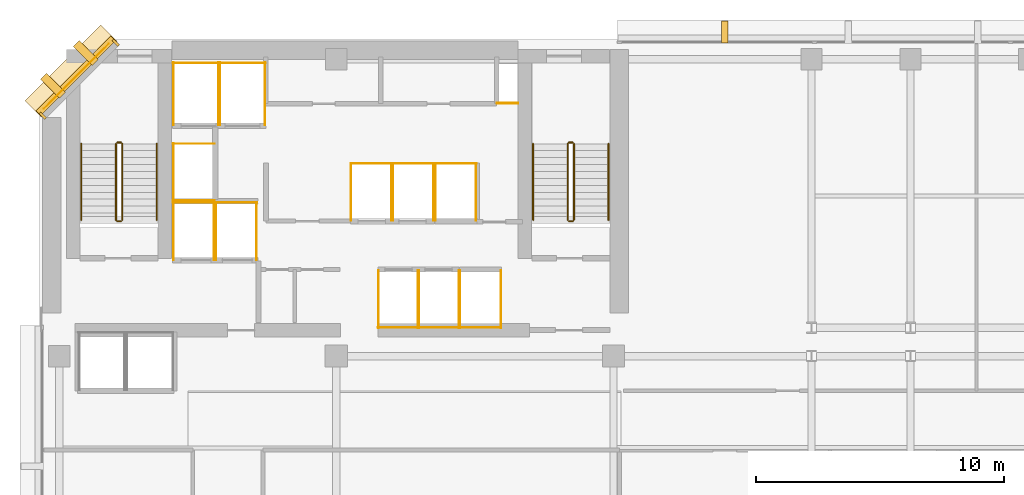
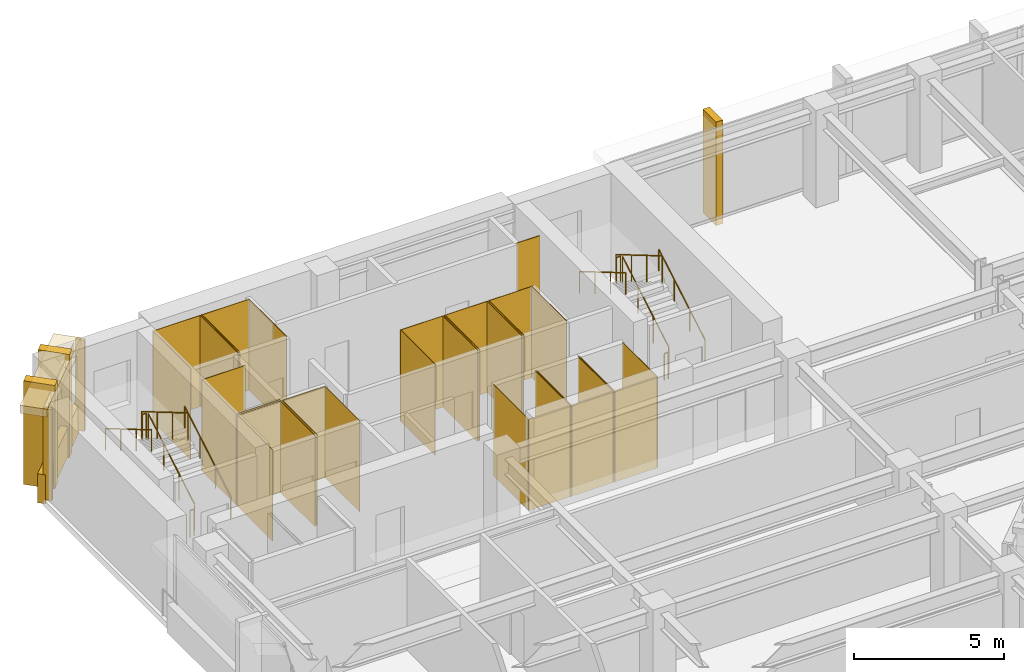
# One storey, part 10 of 11: 42 coverings, 12 railings.
"""IFC4 building model written with IfcOpenShell, lengths in metres."""

from ifc_helpers import new_model, si_unit, direction, frame, origin, origin_2d, place, context, subcontext, project, spatial, polyline, rectangle, circle, outline, extrude, material, layer, layer_set, type_object, element, save


model = new_model("IFC4")

# Units and contexts
model_context = context("Model", 3, precision=1e-05, world=origin(), true_north=direction((0.0, 1.0)))
body_context = subcontext(model_context, "Body", "Model", "MODEL_VIEW")
ifc_project = project(units=[si_unit("LENGTHUNIT", "METRE"), si_unit("AREAUNIT", "SQUARE_METRE"), si_unit("VOLUMEUNIT", "CUBIC_METRE"), si_unit("PLANEANGLEUNIT", "RADIAN"), si_unit("MASSUNIT", "GRAM", prefix="KILO")], contexts=[model_context])

# Site, building, storey
site_placement = place(None, origin())
site = spatial("IfcSite", under=ifc_project, at=site_placement, CompositionType="ELEMENT")
building_placement = place(site_placement, origin())
building = spatial("IfcBuilding", under=site, at=building_placement, Name="Kefirva Bronze Tower", CompositionType="ELEMENT")
storey_placement = place(building_placement, frame((0.0, 0.0, 146.85009765625)))
storey = spatial("IfcBuildingStorey", under=building, at=storey_placement, Name="L35", CompositionType="ELEMENT", Elevation=146.85009765625)

# Coverings
ifc_material_1 = material(Name="Bronze anodised aluminium", Category="aluminium")
ifc_layer_1 = layer(ifc_material_1, 0.02001953125, Name="Bronze anodised aluminium")
ifc_layer_set_1 = layer_set([ifc_layer_1], Name="Bronze anodised aluminium")
covering_type_1 = type_object("IfcCoveringType", Name="Anodised Bronze Spandrel Cladding 20mm", PredefinedType="CLADDING", material=ifc_layer_set_1)
covering_1_placement = place(storey_placement, frame((1.492919921875, 44.507080078125, 3.2900390625), z_axis=(0.0, 0.0, 1.0), x_axis=(-0.707106781187, -0.707106781187, 0.0)))
element("IfcCovering", 1, at=covering_1_placement, inside=storey, type_object=covering_type_1, Name="L35 Bronze Spandrel Cladding 8", PredefinedType="CLADDING", context=body_context, shape_type="SweptSolid", body=[
    extrude(rectangle(XDim=3.719482421875, YDim=0.02001953125, at=origin_2d()), origin(), (0.0, 0.0, 1.0), 0.39990234375),
])
for number, where, z_axis, x_axis, name in (
    (2, (3.08837890625, 45.862060546875, 0.0), (0.0, 0.0, 1.0), (-0.707106781187, -0.707106781187, 0.0), "L35 Facade Joint Closure Panel 8S"),
    (3, (0.137939453125, 42.91162109375, 0.0), (0.0, 0.0, 1.0), (-0.707106781187, -0.707106781187, 0.0), "L35 Facade Joint Closure Panel 8E"),
):
    element("IfcCovering", number, at=place(storey_placement, frame(where, z_axis=z_axis, x_axis=x_axis)), inside=storey, type_object=covering_type_1, Name=name, PredefinedType="CLADDING", context=body_context, shape_type="SweptSolid", body=[
        extrude(rectangle(XDim=0.10009765625, YDim=0.320068359375, at=origin_2d()), origin(), (0.0, 0.0, 1.0), 3.7099609375),
    ])
covering_2_placement = place(storey_placement, frame((1.4716796875, 44.5283203125, -0.16015625), z_axis=(0.0, 0.0, 1.0), x_axis=(-0.707106781187, -0.707106781187, 0.0)))
element("IfcCovering", 4, at=covering_2_placement, inside=storey, type_object=covering_type_1, Name="L35 Streamline Horizontal Spandrel Band 13", PredefinedType="CLADDING", context=body_context, shape_type="SweptSolid", body=[
    extrude(rectangle(XDim=4.28271484375, YDim=0.280029296875, at=origin_2d()), origin(), (0.0, 0.0, 1.0), 1.179931640625),
])
covering_3_placement = place(storey_placement, origin())
element("IfcCovering", 5, at=covering_3_placement, inside=storey, type_object=covering_type_1, Name="L35 Lift FF1 Hoistway Liner N", PredefinedType="CLADDING", context=body_context, shape_type="SweptSolid", body=[
    extrude(outline(polyline([(5.39990234375, 39.389892578125), (7.080078125, 39.389892578125), (7.080078125, 39.409912109375), (5.39990234375, 39.409912109375), (5.39990234375, 39.389892578125)])), origin(), (0.0, 0.0, 1.0), 3.7099609375),
])
covering_4_placement = place(storey_placement, origin())
element("IfcCovering", 6, at=covering_4_placement, inside=storey, type_object=covering_type_1, Name="L35 Lift FF1 Hoistway Liner W", PredefinedType="CLADDING", context=body_context, shape_type="SweptSolid", body=[
    extrude(outline(polyline([(5.409912109375, 37.080078125), (5.429931640625, 37.080078125), (5.429931640625, 39.419921875), (5.409912109375, 39.419921875), (5.409912109375, 37.080078125)])), origin(), (0.0, 0.0, 1.0), 3.7099609375),
])
covering_5_placement = place(storey_placement, origin())
element("IfcCovering", 7, at=covering_5_placement, inside=storey, type_object=covering_type_1, Name="L35 Lift FF1 Hoistway Liner E", PredefinedType="CLADDING", context=body_context, shape_type="SweptSolid", body=[
    extrude(outline(polyline([(7.050048828125, 37.080078125), (7.070068359375, 37.080078125), (7.070068359375, 39.419921875), (7.050048828125, 39.419921875), (7.050048828125, 37.080078125)])), origin(), (0.0, 0.0, 1.0), 3.7099609375),
])
covering_6_placement = place(storey_placement, origin())
element("IfcCovering", 8, at=covering_6_placement, inside=storey, type_object=covering_type_1, Name="L35 Lift FF2 Hoistway Liner N", PredefinedType="CLADDING", context=body_context, shape_type="SweptSolid", body=[
    extrude(outline(polyline([(7.1201171875, 39.389892578125), (8.800048828125, 39.389892578125), (8.800048828125, 39.409912109375), (7.1201171875, 39.409912109375), (7.1201171875, 39.389892578125)])), origin(), (0.0, 0.0, 1.0), 3.7099609375),
])
covering_7_placement = place(storey_placement, origin())
element("IfcCovering", 9, at=covering_7_placement, inside=storey, type_object=covering_type_1, Name="L35 Lift FF2 Hoistway Liner W", PredefinedType="CLADDING", context=body_context, shape_type="SweptSolid", body=[
    extrude(outline(polyline([(7.1298828125, 37.080078125), (7.14990234375, 37.080078125), (7.14990234375, 39.419921875), (7.1298828125, 39.419921875), (7.1298828125, 37.080078125)])), origin(), (0.0, 0.0, 1.0), 3.7099609375),
])
covering_8_placement = place(storey_placement, origin())
element("IfcCovering", 10, at=covering_8_placement, inside=storey, type_object=covering_type_1, Name="L35 Lift FF2 Hoistway Liner E", PredefinedType="CLADDING", context=body_context, shape_type="SweptSolid", body=[
    extrude(outline(polyline([(8.77001953125, 37.080078125), (8.7900390625, 37.080078125), (8.7900390625, 39.419921875), (8.77001953125, 39.419921875), (8.77001953125, 37.080078125)])), origin(), (0.0, 0.0, 1.0), 3.7099609375),
])
covering_9_placement = place(storey_placement, origin())
element("IfcCovering", 11, at=covering_9_placement, inside=storey, type_object=covering_type_1, Name="L35 Lift SV1 Hoistway Liner N", PredefinedType="CLADDING", context=body_context, shape_type="SweptSolid", body=[
    extrude(outline(polyline([(5.39990234375, 45.0400390625), (7.260009765625, 45.0400390625), (7.260009765625, 45.06005859375), (5.39990234375, 45.06005859375), (5.39990234375, 45.0400390625)])), origin(), (0.0, 0.0, 1.0), 3.7099609375),
])
covering_10_placement = place(storey_placement, origin())
element("IfcCovering", 12, at=covering_10_placement, inside=storey, type_object=covering_type_1, Name="L35 Lift SV1 Hoistway Liner W", PredefinedType="CLADDING", context=body_context, shape_type="SweptSolid", body=[
    extrude(outline(polyline([(5.409912109375, 42.530029296875), (5.429931640625, 42.530029296875), (5.429931640625, 45.070068359375), (5.409912109375, 45.070068359375), (5.409912109375, 42.530029296875)])), origin(), (0.0, 0.0, 1.0), 3.7099609375),
])
covering_11_placement = place(storey_placement, origin())
element("IfcCovering", 13, at=covering_11_placement, inside=storey, type_object=covering_type_1, Name="L35 Lift SV1 Hoistway Liner E", PredefinedType="CLADDING", context=body_context, shape_type="SweptSolid", body=[
    extrude(outline(polyline([(7.22998046875, 42.530029296875), (7.25, 42.530029296875), (7.25, 45.070068359375), (7.22998046875, 45.070068359375), (7.22998046875, 42.530029296875)])), origin(), (0.0, 0.0, 1.0), 3.7099609375),
])
covering_12_placement = place(storey_placement, origin())
element("IfcCovering", 14, at=covering_12_placement, inside=storey, type_object=covering_type_1, Name="L35 Lift SV2 Hoistway Liner N", PredefinedType="CLADDING", context=body_context, shape_type="SweptSolid", body=[
    extrude(outline(polyline([(7.280029296875, 45.0400390625), (9.139892578125, 45.0400390625), (9.139892578125, 45.06005859375), (7.280029296875, 45.06005859375), (7.280029296875, 45.0400390625)])), origin(), (0.0, 0.0, 1.0), 3.7099609375),
])
covering_13_placement = place(storey_placement, origin())
element("IfcCovering", 15, at=covering_13_placement, inside=storey, type_object=covering_type_1, Name="L35 Lift SV2 Hoistway Liner W", PredefinedType="CLADDING", context=body_context, shape_type="SweptSolid", body=[
    extrude(outline(polyline([(7.2900390625, 42.530029296875), (7.31005859375, 42.530029296875), (7.31005859375, 45.070068359375), (7.2900390625, 45.070068359375), (7.2900390625, 42.530029296875)])), origin(), (0.0, 0.0, 1.0), 3.7099609375),
])
covering_14_placement = place(storey_placement, origin())
element("IfcCovering", 16, at=covering_14_placement, inside=storey, type_object=covering_type_1, Name="L35 Lift SV2 Hoistway Liner E", PredefinedType="CLADDING", context=body_context, shape_type="SweptSolid", body=[
    extrude(outline(polyline([(9.110107421875, 42.530029296875), (9.1298828125, 42.530029296875), (9.1298828125, 45.070068359375), (9.110107421875, 45.070068359375), (9.110107421875, 42.530029296875)])), origin(), (0.0, 0.0, 1.0), 3.7099609375),
])
covering_15_placement = place(storey_placement, origin())
element("IfcCovering", 17, at=covering_15_placement, inside=storey, type_object=covering_type_1, Name="L35 Lift MP1 Hoistway Liner S", PredefinedType="CLADDING", context=body_context, shape_type="SweptSolid", body=[
    extrude(outline(polyline([(13.679931640625, 34.340087890625), (15.320068359375, 34.340087890625), (15.320068359375, 34.360107421875), (13.679931640625, 34.360107421875), (13.679931640625, 34.340087890625)])), origin(), (0.0, 0.0, 1.0), 3.7099609375),
])
covering_16_placement = place(storey_placement, origin())
element("IfcCovering", 18, at=covering_16_placement, inside=storey, type_object=covering_type_1, Name="L35 Lift MP1 Hoistway Liner W", PredefinedType="CLADDING", context=body_context, shape_type="SweptSolid", body=[
    extrude(outline(polyline([(13.68994140625, 34.330078125), (13.7099609375, 34.330078125), (13.7099609375, 36.669921875), (13.68994140625, 36.669921875), (13.68994140625, 34.330078125)])), origin(), (0.0, 0.0, 1.0), 3.7099609375),
])
covering_17_placement = place(storey_placement, origin())
element("IfcCovering", 19, at=covering_17_placement, inside=storey, type_object=covering_type_1, Name="L35 Lift MP1 Hoistway Liner E", PredefinedType="CLADDING", context=body_context, shape_type="SweptSolid", body=[
    extrude(outline(polyline([(15.2900390625, 34.330078125), (15.31005859375, 34.330078125), (15.31005859375, 36.669921875), (15.2900390625, 36.669921875), (15.2900390625, 34.330078125)])), origin(), (0.0, 0.0, 1.0), 3.7099609375),
])
covering_18_placement = place(storey_placement, origin())
element("IfcCovering", 20, at=covering_18_placement, inside=storey, type_object=covering_type_1, Name="L35 Lift MP2 Hoistway Liner S", PredefinedType="CLADDING", context=body_context, shape_type="SweptSolid", body=[
    extrude(outline(polyline([(15.330078125, 34.340087890625), (16.969970703125, 34.340087890625), (16.969970703125, 34.360107421875), (15.330078125, 34.360107421875), (15.330078125, 34.340087890625)])), origin(), (0.0, 0.0, 1.0), 3.7099609375),
])
covering_19_placement = place(storey_placement, origin())
element("IfcCovering", 21, at=covering_19_placement, inside=storey, type_object=covering_type_1, Name="L35 Lift MP2 Hoistway Liner W", PredefinedType="CLADDING", context=body_context, shape_type="SweptSolid", body=[
    extrude(outline(polyline([(15.340087890625, 34.330078125), (15.360107421875, 34.330078125), (15.360107421875, 36.669921875), (15.340087890625, 36.669921875), (15.340087890625, 34.330078125)])), origin(), (0.0, 0.0, 1.0), 3.7099609375),
])
covering_20_placement = place(storey_placement, origin())
element("IfcCovering", 22, at=covering_20_placement, inside=storey, type_object=covering_type_1, Name="L35 Lift MP2 Hoistway Liner E", PredefinedType="CLADDING", context=body_context, shape_type="SweptSolid", body=[
    extrude(outline(polyline([(16.93994140625, 34.330078125), (16.9599609375, 34.330078125), (16.9599609375, 36.669921875), (16.93994140625, 36.669921875), (16.93994140625, 34.330078125)])), origin(), (0.0, 0.0, 1.0), 3.7099609375),
])
covering_21_placement = place(storey_placement, origin())
element("IfcCovering", 23, at=covering_21_placement, inside=storey, type_object=covering_type_1, Name="L35 Lift MP3 Hoistway Liner N", PredefinedType="CLADDING", context=body_context, shape_type="SweptSolid", body=[
    extrude(outline(polyline([(12.580078125, 40.969970703125), (14.25, 40.969970703125), (14.25, 40.989990234375), (12.580078125, 40.989990234375), (12.580078125, 40.969970703125)])), origin(), (0.0, 0.0, 1.0), 3.7099609375),
])
covering_22_placement = place(storey_placement, origin())
element("IfcCovering", 24, at=covering_22_placement, inside=storey, type_object=covering_type_1, Name="L35 Lift MP3 Hoistway Liner W", PredefinedType="CLADDING", context=body_context, shape_type="SweptSolid", body=[
    extrude(outline(polyline([(12.590087890625, 38.659912109375), (12.610107421875, 38.659912109375), (12.610107421875, 41.0), (12.590087890625, 41.0), (12.590087890625, 38.659912109375)])), origin(), (0.0, 0.0, 1.0), 3.7099609375),
])
covering_23_placement = place(storey_placement, origin())
element("IfcCovering", 25, at=covering_23_placement, inside=storey, type_object=covering_type_1, Name="L35 Lift MP3 Hoistway Liner E", PredefinedType="CLADDING", context=body_context, shape_type="SweptSolid", body=[
    extrude(outline(polyline([(14.219970703125, 38.659912109375), (14.239990234375, 38.659912109375), (14.239990234375, 41.0), (14.219970703125, 41.0), (14.219970703125, 38.659912109375)])), origin(), (0.0, 0.0, 1.0), 3.7099609375),
])
covering_24_placement = place(storey_placement, origin())
element("IfcCovering", 26, at=covering_24_placement, inside=storey, type_object=covering_type_1, Name="L35 Lift MP4 Hoistway Liner N", PredefinedType="CLADDING", context=body_context, shape_type="SweptSolid", body=[
    extrude(outline(polyline([(14.280029296875, 40.969970703125), (15.949951171875, 40.969970703125), (15.949951171875, 40.989990234375), (14.280029296875, 40.989990234375), (14.280029296875, 40.969970703125)])), origin(), (0.0, 0.0, 1.0), 3.7099609375),
])
covering_25_placement = place(storey_placement, origin())
element("IfcCovering", 27, at=covering_25_placement, inside=storey, type_object=covering_type_1, Name="L35 Lift MP4 Hoistway Liner W", PredefinedType="CLADDING", context=body_context, shape_type="SweptSolid", body=[
    extrude(outline(polyline([(14.2900390625, 38.659912109375), (14.31005859375, 38.659912109375), (14.31005859375, 41.0), (14.2900390625, 41.0), (14.2900390625, 38.659912109375)])), origin(), (0.0, 0.0, 1.0), 3.7099609375),
])
covering_26_placement = place(storey_placement, origin())
element("IfcCovering", 28, at=covering_26_placement, inside=storey, type_object=covering_type_1, Name="L35 Lift MP4 Hoistway Liner E", PredefinedType="CLADDING", context=body_context, shape_type="SweptSolid", body=[
    extrude(outline(polyline([(15.919921875, 38.659912109375), (15.93994140625, 38.659912109375), (15.93994140625, 41.0), (15.919921875, 41.0), (15.919921875, 38.659912109375)])), origin(), (0.0, 0.0, 1.0), 3.7099609375),
])
covering_27_placement = place(storey_placement, origin())
element("IfcCovering", 29, at=covering_27_placement, inside=storey, type_object=covering_type_1, Name="L35 Lift HP1 Hoistway Liner S", PredefinedType="CLADDING", context=body_context, shape_type="SweptSolid", body=[
    extrude(outline(polyline([(16.97998046875, 34.340087890625), (18.669921875, 34.340087890625), (18.669921875, 34.360107421875), (16.97998046875, 34.360107421875), (16.97998046875, 34.340087890625)])), origin(), (0.0, 0.0, 1.0), 3.7099609375),
])
covering_28_placement = place(storey_placement, origin())
element("IfcCovering", 30, at=covering_28_placement, inside=storey, type_object=covering_type_1, Name="L35 Lift HP1 Hoistway Liner W", PredefinedType="CLADDING", context=body_context, shape_type="SweptSolid", body=[
    extrude(outline(polyline([(16.989990234375, 34.330078125), (17.010009765625, 34.330078125), (17.010009765625, 36.669921875), (16.989990234375, 36.669921875), (16.989990234375, 34.330078125)])), origin(), (0.0, 0.0, 1.0), 3.7099609375),
])
covering_29_placement = place(storey_placement, origin())
element("IfcCovering", 31, at=covering_29_placement, inside=storey, type_object=covering_type_1, Name="L35 Lift HP1 Hoistway Liner E", PredefinedType="CLADDING", context=body_context, shape_type="SweptSolid", body=[
    extrude(outline(polyline([(18.639892578125, 34.330078125), (18.659912109375, 34.330078125), (18.659912109375, 36.669921875), (18.639892578125, 36.669921875), (18.639892578125, 34.330078125)])), origin(), (0.0, 0.0, 1.0), 3.7099609375),
])
covering_30_placement = place(storey_placement, origin())
element("IfcCovering", 32, at=covering_30_placement, inside=storey, type_object=covering_type_1, Name="L35 Lift HP2 Hoistway Liner N", PredefinedType="CLADDING", context=body_context, shape_type="SweptSolid", body=[
    extrude(outline(polyline([(15.97998046875, 40.969970703125), (17.669921875, 40.969970703125), (17.669921875, 40.989990234375), (15.97998046875, 40.989990234375), (15.97998046875, 40.969970703125)])), origin(), (0.0, 0.0, 1.0), 3.7099609375),
])
covering_31_placement = place(storey_placement, origin())
element("IfcCovering", 33, at=covering_31_placement, inside=storey, type_object=covering_type_1, Name="L35 Lift HP2 Hoistway Liner W", PredefinedType="CLADDING", context=body_context, shape_type="SweptSolid", body=[
    extrude(outline(polyline([(15.989990234375, 38.659912109375), (16.010009765625, 38.659912109375), (16.010009765625, 41.0), (15.989990234375, 41.0), (15.989990234375, 38.659912109375)])), origin(), (0.0, 0.0, 1.0), 3.7099609375),
])
covering_32_placement = place(storey_placement, origin())
element("IfcCovering", 34, at=covering_32_placement, inside=storey, type_object=covering_type_1, Name="L35 Lift HP2 Hoistway Liner E", PredefinedType="CLADDING", context=body_context, shape_type="SweptSolid", body=[
    extrude(outline(polyline([(17.639892578125, 38.659912109375), (17.659912109375, 38.659912109375), (17.659912109375, 41.0), (17.639892578125, 41.0), (17.639892578125, 38.659912109375)])), origin(), (0.0, 0.0, 1.0), 3.7099609375),
])
covering_33_placement = place(storey_placement, origin())
element("IfcCovering", 35, at=covering_33_placement, inside=storey, type_object=covering_type_1, Name="L35 Lift HP3 Hoistway Liner N", PredefinedType="CLADDING", context=body_context, shape_type="SweptSolid", body=[
    extrude(outline(polyline([(5.39990234375, 41.77001953125), (7.080078125, 41.77001953125), (7.080078125, 41.7900390625), (5.39990234375, 41.7900390625), (5.39990234375, 41.77001953125)])), origin(), (0.0, 0.0, 1.0), 3.7099609375),
])
covering_34_placement = place(storey_placement, origin())
element("IfcCovering", 36, at=covering_34_placement, inside=storey, type_object=covering_type_1, Name="L35 Lift HP3 Hoistway Liner S", PredefinedType="CLADDING", context=body_context, shape_type="SweptSolid", body=[
    extrude(outline(polyline([(5.39990234375, 39.469970703125), (7.080078125, 39.469970703125), (7.080078125, 39.489990234375), (5.39990234375, 39.489990234375), (5.39990234375, 39.469970703125)])), origin(), (0.0, 0.0, 1.0), 3.7099609375),
])
covering_35_placement = place(storey_placement, origin())
element("IfcCovering", 37, at=covering_35_placement, inside=storey, type_object=covering_type_1, Name="L35 Lift HP3 Hoistway Liner W", PredefinedType="CLADDING", context=body_context, shape_type="SweptSolid", body=[
    extrude(outline(polyline([(5.409912109375, 39.4599609375), (5.429931640625, 39.4599609375), (5.429931640625, 41.800048828125), (5.409912109375, 41.800048828125), (5.409912109375, 39.4599609375)])), origin(), (0.0, 0.0, 1.0), 3.7099609375),
])
covering_36_placement = place(storey_placement, origin())
element("IfcCovering", 38, at=covering_36_placement, inside=storey, type_object=covering_type_1, Name="L35 Core MEP Riser Shaft Liner South", PredefinedType="CLADDING", context=body_context, shape_type="SweptSolid", body=[
    extrude(outline(polyline([(18.47998046875, 43.39990234375), (19.360107421875, 43.39990234375), (19.360107421875, 43.429931640625), (18.47998046875, 43.429931640625), (18.47998046875, 43.39990234375)])), origin(), (0.0, 0.0, 1.0), 3.7099609375),
])

# Railings
ifc_material_2 = material(Name="Stainless steel 316", Category="steel")
railing_type_1 = type_object("IfcRailingType", Name="Interior Stair Guardrail 1100mm", PredefinedType="GUARDRAIL", material=ifc_material_2)
railing_1_placement = place(storey_placement, frame((3.35009765625, 38.699951171875, 0.164794921875)))
element("IfcRailing", 39, at=railing_1_placement, inside=storey, type_object=railing_type_1, Name="L35 ST-1 stair guard 1", PredefinedType="GUARDRAIL", context=body_context, shape_type="SweptSolid", body=[
    extrude(circle(Radius=0.02392578125, at=origin_2d()), frame((0.0, 0.0, 1.076171875), z_axis=(0.0, 0.861521393093, 0.507721271215), x_axis=(-1.0, 0.0, 0.0)), (0.0, 0.0, 1.0), 3.5751953125),
    extrude(circle(Radius=0.02099609375, at=origin_2d()), origin(), (0.0, 0.0, 1.0), 1.052001953125),
    extrude(circle(Radius=0.02099609375, at=origin_2d()), frame((0.0, 1.026611328125, 0.60498046875)), (0.0, 0.0, 1.0), 1.052001953125),
    extrude(circle(Radius=0.02099609375, at=origin_2d()), frame((0.0, 2.053466796875, 1.210205078125)), (0.0, 0.0, 1.0), 1.052001953125),
    extrude(circle(Radius=0.02099609375, at=origin_2d()), frame((0.0, 3.080078125, 1.815185546875)), (0.0, 0.0, 1.0), 1.052001953125),
])
railing_2_placement = place(storey_placement, frame((3.300048828125, 41.830078125, 1.97998046875)))
element("IfcRailing", 40, at=railing_2_placement, inside=storey, type_object=railing_type_1, Name="L35 ST-1 stair guard 2", PredefinedType="GUARDRAIL", context=body_context, shape_type="SweptSolid", body=[
    extrude(circle(Radius=0.02392578125, at=origin_2d()), frame((0.0, 0.0, 1.076171875), z_axis=(-1.0, 0.0, 0.0), x_axis=(0.0, -1.0, 0.0)), (0.0, 0.0, 1.0), 0.150146484375),
    extrude(circle(Radius=0.02099609375, at=origin_2d()), origin(), (0.0, 0.0, 1.0), 1.052001953125),
    extrude(circle(Radius=0.02099609375, at=origin_2d()), frame((-0.150146484375, 0.0, 0.0)), (0.0, 0.0, 1.0), 1.052001953125),
])
railing_3_placement = place(storey_placement, frame((3.10009765625, 41.780029296875, 2.14501953125)))
element("IfcRailing", 41, at=railing_3_placement, inside=storey, type_object=railing_type_1, Name="L35 ST-1 stair guard 3", PredefinedType="GUARDRAIL", context=body_context, shape_type="SweptSolid", body=[
    extrude(circle(Radius=0.02392578125, at=origin_2d()), frame((0.0, 0.0, 1.076171875), z_axis=(0.0, -0.861551262678, 0.507670583921), x_axis=(1.0, 0.0, 0.0)), (0.0, 0.0, 1.0), 3.574951171875),
    extrude(circle(Radius=0.02099609375, at=origin_2d()), origin(), (0.0, 0.0, 1.0), 1.052001953125),
    extrude(circle(Radius=0.02099609375, at=origin_2d()), frame((0.0, -1.026611328125, 0.60498046875)), (0.0, 0.0, 1.0), 1.052001953125),
    extrude(circle(Radius=0.02099609375, at=origin_2d()), frame((0.0, -2.053466796875, 1.2099609375)), (0.0, 0.0, 1.0), 1.052001953125),
    extrude(circle(Radius=0.02099609375, at=origin_2d()), frame((0.0, -3.080078125, 1.81494140625)), (0.0, 0.0, 1.0), 1.052001953125),
])
railing_4_placement = place(storey_placement, frame((3.300048828125, 38.64990234375, 0.0)))
element("IfcRailing", 42, at=railing_4_placement, inside=storey, type_object=railing_type_1, Name="L35 ST-1 stair guard 4", PredefinedType="GUARDRAIL", context=body_context, shape_type="SweptSolid", body=[
    extrude(circle(Radius=0.02392578125, at=origin_2d()), frame((0.0, 0.0, 1.076171875), z_axis=(-1.0, 0.0, 0.0), x_axis=(0.0, -1.0, 0.0)), (0.0, 0.0, 1.0), 0.150146484375),
    extrude(circle(Radius=0.02099609375, at=origin_2d()), origin(), (0.0, 0.0, 1.0), 1.052001953125),
    extrude(circle(Radius=0.02099609375, at=origin_2d()), frame((-0.150146484375, 0.0, 0.0)), (0.0, 0.0, 1.0), 1.052001953125),
])
railing_5_placement = place(storey_placement, frame((21.60009765625, 38.699951171875, 0.164794921875)))
element("IfcRailing", 43, at=railing_5_placement, inside=storey, type_object=railing_type_1, Name="L35 ST-2 stair guard 1", PredefinedType="GUARDRAIL", context=body_context, shape_type="SweptSolid", body=[
    extrude(circle(Radius=0.02392578125, at=origin_2d()), frame((0.0, 0.0, 1.076171875), z_axis=(0.0, 0.861521393093, 0.507721271215), x_axis=(-1.0, 0.0, 0.0)), (0.0, 0.0, 1.0), 3.5751953125),
    extrude(circle(Radius=0.02099609375, at=origin_2d()), origin(), (0.0, 0.0, 1.0), 1.052001953125),
    extrude(circle(Radius=0.02099609375, at=origin_2d()), frame((0.0, 1.026611328125, 0.60498046875)), (0.0, 0.0, 1.0), 1.052001953125),
    extrude(circle(Radius=0.02099609375, at=origin_2d()), frame((0.0, 2.053466796875, 1.210205078125)), (0.0, 0.0, 1.0), 1.052001953125),
    extrude(circle(Radius=0.02099609375, at=origin_2d()), frame((0.0, 3.080078125, 1.815185546875)), (0.0, 0.0, 1.0), 1.052001953125),
])
railing_6_placement = place(storey_placement, frame((21.550048828125, 41.830078125, 1.97998046875)))
element("IfcRailing", 44, at=railing_6_placement, inside=storey, type_object=railing_type_1, Name="L35 ST-2 stair guard 2", PredefinedType="GUARDRAIL", context=body_context, shape_type="SweptSolid", body=[
    extrude(circle(Radius=0.02392578125, at=origin_2d()), frame((0.0, 0.0, 1.076171875), z_axis=(-1.0, 0.0, 0.0), x_axis=(0.0, -1.0, 0.0)), (0.0, 0.0, 1.0), 0.150146484375),
    extrude(circle(Radius=0.02099609375, at=origin_2d()), origin(), (0.0, 0.0, 1.0), 1.052001953125),
    extrude(circle(Radius=0.02099609375, at=origin_2d()), frame((-0.150146484375, 0.0, 0.0)), (0.0, 0.0, 1.0), 1.052001953125),
])
railing_7_placement = place(storey_placement, frame((21.35009765625, 41.780029296875, 2.14501953125)))
element("IfcRailing", 45, at=railing_7_placement, inside=storey, type_object=railing_type_1, Name="L35 ST-2 stair guard 3", PredefinedType="GUARDRAIL", context=body_context, shape_type="SweptSolid", body=[
    extrude(circle(Radius=0.02392578125, at=origin_2d()), frame((0.0, 0.0, 1.076171875), z_axis=(0.0, -0.861551262678, 0.507670583921), x_axis=(1.0, 0.0, 0.0)), (0.0, 0.0, 1.0), 3.574951171875),
    extrude(circle(Radius=0.02099609375, at=origin_2d()), origin(), (0.0, 0.0, 1.0), 1.052001953125),
    extrude(circle(Radius=0.02099609375, at=origin_2d()), frame((0.0, -1.026611328125, 0.60498046875)), (0.0, 0.0, 1.0), 1.052001953125),
    extrude(circle(Radius=0.02099609375, at=origin_2d()), frame((0.0, -2.053466796875, 1.2099609375)), (0.0, 0.0, 1.0), 1.052001953125),
    extrude(circle(Radius=0.02099609375, at=origin_2d()), frame((0.0, -3.080078125, 1.81494140625)), (0.0, 0.0, 1.0), 1.052001953125),
])
railing_8_placement = place(storey_placement, frame((21.550048828125, 38.64990234375, 0.0)))
element("IfcRailing", 46, at=railing_8_placement, inside=storey, type_object=railing_type_1, Name="L35 ST-2 stair guard 4", PredefinedType="GUARDRAIL", context=body_context, shape_type="SweptSolid", body=[
    extrude(circle(Radius=0.02392578125, at=origin_2d()), frame((0.0, 0.0, 1.076171875), z_axis=(-1.0, 0.0, 0.0), x_axis=(0.0, -1.0, 0.0)), (0.0, 0.0, 1.0), 0.150146484375),
    extrude(circle(Radius=0.02099609375, at=origin_2d()), origin(), (0.0, 0.0, 1.0), 1.052001953125),
    extrude(circle(Radius=0.02099609375, at=origin_2d()), frame((-0.150146484375, 0.0, 0.0)), (0.0, 0.0, 1.0), 1.052001953125),
])
railing_type_2 = type_object("IfcRailingType", Name="Stair Pitch Handrail 900mm", PredefinedType="HANDRAIL", material=ifc_material_2)
railing_9_placement = place(storey_placement, frame((4.75, 38.699951171875, 0.164794921875)))
element("IfcRailing", 47, at=railing_9_placement, inside=storey, type_object=railing_type_2, Name="L35 ST-1 stair handrail 1", PredefinedType="HANDRAIL", context=body_context, shape_type="SweptSolid", body=[
    extrude(circle(Radius=0.02392578125, at=origin_2d()), frame((0.0, 0.0, 0.8759765625), z_axis=(0.0, 0.861521393093, 0.507721271215), x_axis=(-1.0, 0.0, 0.0)), (0.0, 0.0, 1.0), 3.5751953125),
    extrude(circle(Radius=0.02099609375, at=origin_2d()), origin(), (0.0, 0.0, 1.0), 0.851806640625),
    extrude(circle(Radius=0.02099609375, at=origin_2d()), frame((0.0, 1.026611328125, 0.60498046875)), (0.0, 0.0, 1.0), 0.851806640625),
    extrude(circle(Radius=0.02099609375, at=origin_2d()), frame((0.0, 2.053466796875, 1.210205078125)), (0.0, 0.0, 1.0), 0.851806640625),
    extrude(circle(Radius=0.02099609375, at=origin_2d()), frame((0.0, 3.080078125, 1.815185546875)), (0.0, 0.0, 1.0), 0.851806640625),
])
railing_10_placement = place(storey_placement, frame((1.699951171875, 41.780029296875, 2.14501953125)))
element("IfcRailing", 48, at=railing_10_placement, inside=storey, type_object=railing_type_2, Name="L35 ST-1 stair handrail 2", PredefinedType="HANDRAIL", context=body_context, shape_type="SweptSolid", body=[
    extrude(circle(Radius=0.02392578125, at=origin_2d()), frame((0.0, 0.0, 0.8759765625), z_axis=(0.0, -0.861551262678, 0.507670583921), x_axis=(1.0, 0.0, 0.0)), (0.0, 0.0, 1.0), 3.574951171875),
    extrude(circle(Radius=0.02099609375, at=origin_2d()), origin(), (0.0, 0.0, 1.0), 0.851806640625),
    extrude(circle(Radius=0.02099609375, at=origin_2d()), frame((0.0, -1.026611328125, 0.60498046875)), (0.0, 0.0, 1.0), 0.851806640625),
    extrude(circle(Radius=0.02099609375, at=origin_2d()), frame((0.0, -2.053466796875, 1.2099609375)), (0.0, 0.0, 1.0), 0.851806640625),
    extrude(circle(Radius=0.02099609375, at=origin_2d()), frame((0.0, -3.080078125, 1.81494140625)), (0.0, 0.0, 1.0), 0.851806640625),
])
railing_11_placement = place(storey_placement, frame((23.0, 38.699951171875, 0.164794921875)))
element("IfcRailing", 49, at=railing_11_placement, inside=storey, type_object=railing_type_2, Name="L35 ST-2 stair handrail 1", PredefinedType="HANDRAIL", context=body_context, shape_type="SweptSolid", body=[
    extrude(circle(Radius=0.02392578125, at=origin_2d()), frame((0.0, 0.0, 0.8759765625), z_axis=(0.0, 0.861521393093, 0.507721271215), x_axis=(-1.0, 0.0, 0.0)), (0.0, 0.0, 1.0), 3.5751953125),
    extrude(circle(Radius=0.02099609375, at=origin_2d()), origin(), (0.0, 0.0, 1.0), 0.851806640625),
    extrude(circle(Radius=0.02099609375, at=origin_2d()), frame((0.0, 1.026611328125, 0.60498046875)), (0.0, 0.0, 1.0), 0.851806640625),
    extrude(circle(Radius=0.02099609375, at=origin_2d()), frame((0.0, 2.053466796875, 1.210205078125)), (0.0, 0.0, 1.0), 0.851806640625),
    extrude(circle(Radius=0.02099609375, at=origin_2d()), frame((0.0, 3.080078125, 1.815185546875)), (0.0, 0.0, 1.0), 0.851806640625),
])
railing_12_placement = place(storey_placement, frame((19.949951171875, 41.780029296875, 2.14501953125)))
element("IfcRailing", 50, at=railing_12_placement, inside=storey, type_object=railing_type_2, Name="L35 ST-2 stair handrail 2", PredefinedType="HANDRAIL", context=body_context, shape_type="SweptSolid", body=[
    extrude(circle(Radius=0.02392578125, at=origin_2d()), frame((0.0, 0.0, 0.8759765625), z_axis=(0.0, -0.861551262678, 0.507670583921), x_axis=(1.0, 0.0, 0.0)), (0.0, 0.0, 1.0), 3.574951171875),
    extrude(circle(Radius=0.02099609375, at=origin_2d()), origin(), (0.0, 0.0, 1.0), 0.851806640625),
    extrude(circle(Radius=0.02099609375, at=origin_2d()), frame((0.0, -1.026611328125, 0.60498046875)), (0.0, 0.0, 1.0), 0.851806640625),
    extrude(circle(Radius=0.02099609375, at=origin_2d()), frame((0.0, -2.053466796875, 1.2099609375)), (0.0, 0.0, 1.0), 0.851806640625),
    extrude(circle(Radius=0.02099609375, at=origin_2d()), frame((0.0, -3.080078125, 1.81494140625)), (0.0, 0.0, 1.0), 0.851806640625),
])

# Coverings
ifc_layer_2 = layer(ifc_material_1, 0.179931640625, Name="Bronze anodised aluminium")
ifc_layer_set_2 = layer_set([ifc_layer_2], Name="Bronze anodised aluminium")
covering_type_2 = type_object("IfcCoveringType", Name="Streamline Bronze Sunshade Eyebrow Cladding 180mm", PredefinedType="CLADDING", material=ifc_layer_set_2)
covering_37_placement = place(storey_placement, frame((1.28076171875, 44.71923828125, 3.3896484375), z_axis=(0.0, 0.0, 1.0), x_axis=(-0.707106781187, -0.707106781187, 0.0)))
element("IfcCovering", 51, at=covering_37_placement, inside=storey, type_object=covering_type_2, Name="L35 Streamline Bronze Sunshade Eyebrow 13", PredefinedType="CLADDING", context=body_context, shape_type="SweptSolid", body=[
    extrude(rectangle(XDim=4.322509765625, YDim=0.93994140625, at=origin_2d()), origin(), (0.0, 0.0, 1.0), 0.320068359375),
])
ifc_layer_3 = layer(ifc_material_1, 0.260009765625, Name="Bronze anodised aluminium")
ifc_layer_set_3 = layer_set([ifc_layer_3], Name="Bronze anodised aluminium")
covering_type_3 = type_object("IfcCoveringType", Name="Unbroken Bronze Buttress Fin Cladding 260mm", PredefinedType="CLADDING", material=ifc_layer_set_3)
covering_38_placement = place(storey_placement, frame((27.68798828125, 46.300048828125, -0.25), z_axis=(0.0, 0.0, 1.0), x_axis=(-1.0, 0.0, 0.0)))
element("IfcCovering", 52, at=covering_38_placement, inside=storey, type_object=covering_type_3, Name="L35 Unbroken Vertical Bronze Rib Fin 20", PredefinedType="CLADDING", context=body_context, shape_type="SweptSolid", body=[
    extrude(rectangle(XDim=0.260009765625, YDim=0.8798828125, at=origin_2d()), origin(), (0.0, 0.0, 1.0), 4.2099609375),
])
for number, where, z_axis, x_axis, name in (
    (53, (1.877197265625, 45.44287109375, -0.25), (0.0, 0.0, 1.0), (-0.707106781187, -0.707106781187, 0.0), "L35 Chamfered Corner Buttress Fin Cladding 21"),
    (54, (0.55712890625, 44.122802734375, -0.25), (0.0, 0.0, 1.0), (-0.707106781187, -0.707106781187, 0.0), "L35 Chamfered Corner Buttress Fin Cladding 22"),
):
    element("IfcCovering", number, at=place(storey_placement, frame(where, z_axis=z_axis, x_axis=x_axis)), inside=storey, type_object=covering_type_3, Name=name, PredefinedType="CLADDING", context=body_context, shape_type="SweptSolid", body=[
        extrude(rectangle(XDim=0.340087890625, YDim=1.080078125, at=origin_2d()), origin(), (0.0, 0.0, 1.0), 4.2099609375),
    ])

save(model, "model.ifc")
